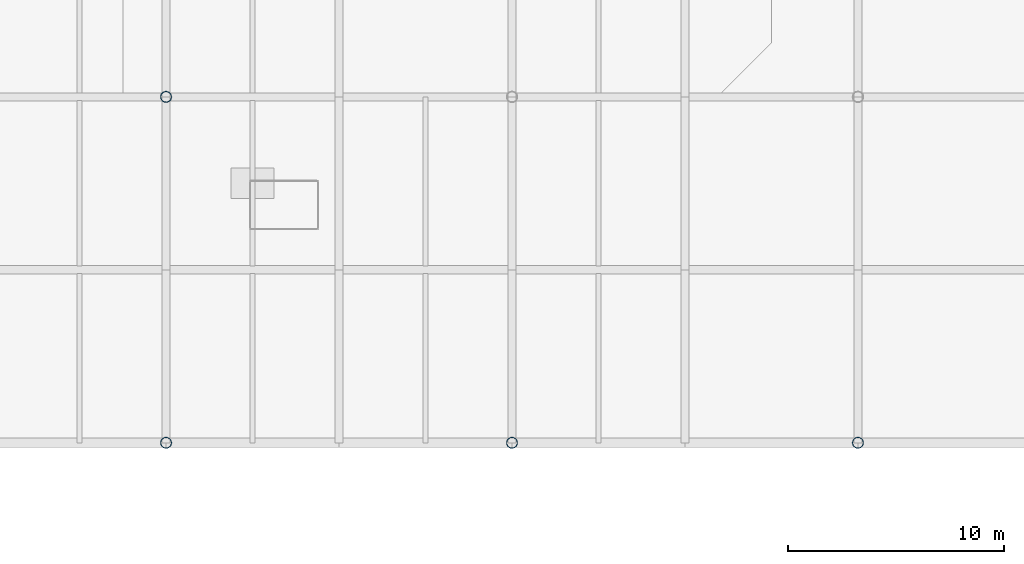
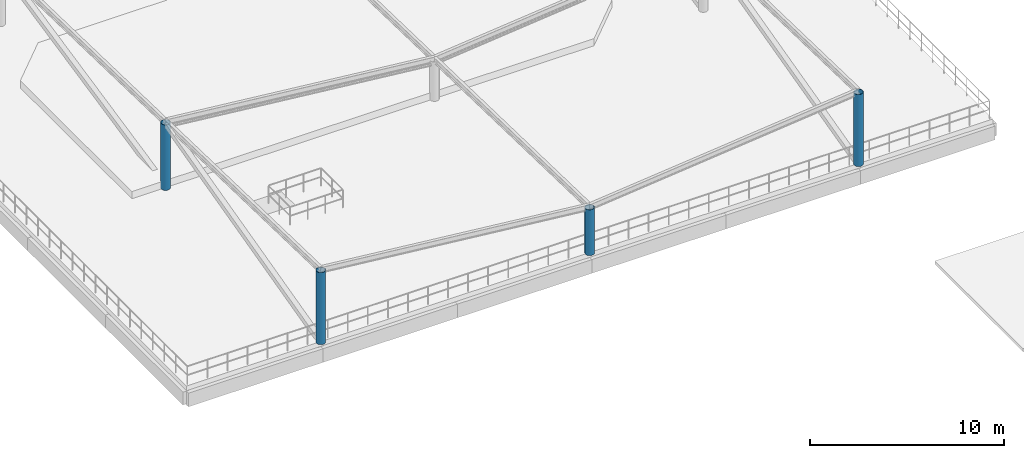
# One storey, part 4 of 52: 4 columns.
"""IFC4 building model written with IfcOpenShell, lengths in metres."""

import ifcopenshell
import ifcopenshell.guid

model = None  # the IFC model being written
_history = None  # IfcOwnerHistory: only IFC2X3 demands one
_inside = {}  # id of a spatial element -> (the spatial element, [elements in it])
_under = {}  # id of a project, library or spatial element -> (it, [spatial elements below it])
_declared = {}  # id of a project -> (the project, [libraries it declares])
_typed = {}  # id of a type object -> (the type object, [elements of that type])
_made_of = {}  # id of a material, layer set ... -> (it, [elements and type objects made of it])


def new_model(schema):
    """Start an empty IFC model of exactly this schema.

    Asked for "IFC4X3", IfcOpenShell would pick the latest addendum, in which some entities
    have other attributes; the version numbers below select the first issue.
    IFC2X3 requires an IfcOwnerHistory on every rooted entity: one is made here for all.
    """
    global model, _history
    if schema == "IFC4X3":
        model = ifcopenshell.file(schema_version=(4, 3, 0, 0))
    else:
        model = ifcopenshell.file(schema=schema)
    _inside.clear()
    _under.clear()
    _declared.clear()
    _typed.clear()
    _made_of.clear()
    _history = None
    if model.schema == "IFC2X3":
        org = make("IfcOrganization", Name="unknown")
        user = make(
            "IfcPersonAndOrganization",
            ThePerson=make("IfcPerson", FamilyName="unknown"),
            TheOrganization=org,
        )
        app = make(
            "IfcApplication",
            ApplicationDeveloper=org,
            Version="unknown",
            ApplicationFullName="unknown",
            ApplicationIdentifier="unknown",
        )
        _history = make(
            "IfcOwnerHistory",
            OwningUser=user,
            OwningApplication=app,
            ChangeAction="ADDED",
            CreationDate=0,
        )
    return model


def make(cls, **values):
    """One entity of the class cls with the attributes given. An attribute that is None is left unset."""
    return model.create_entity(
        cls, **{name: value for name, value in values.items() if value is not None}
    )


def rooted(cls, **values):
    """An entity with a GlobalId (a new one), such as an element, a storey or a relation."""
    return make(cls, GlobalId=ifcopenshell.guid.new(), OwnerHistory=_history, **values)


def si_unit(unit_type, name, prefix=None):
    """IfcSIUnit, for example si_unit("LENGTHUNIT", "METRE", prefix="MILLI")."""
    return make("IfcSIUnit", UnitType=unit_type, Prefix=prefix, Name=name)


def derived_unit(unit_type, elements):
    """IfcDerivedUnit: a product of units, each with its exponent."""
    return make(
        "IfcDerivedUnit",
        Elements=[
            make("IfcDerivedUnitElement", Unit=unit, Exponent=power)
            for unit, power in elements
        ],
        UnitType=unit_type,
    )


def assignment(units):
    """IfcUnitAssignment: the units of a project."""
    return None if units is None else make("IfcUnitAssignment", Units=units)


def point(xyz):
    """IfcCartesianPoint."""
    return None if xyz is None else make("IfcCartesianPoint", Coordinates=xyz)


def direction(xyz):
    """IfcDirection."""
    return None if xyz is None else make("IfcDirection", DirectionRatios=xyz)


def frame(location, z_axis=None, x_axis=None):
    """IfcAxis2Placement3D, a coordinate frame: its origin and axes. An axis left out is left unset."""
    return make(
        "IfcAxis2Placement3D",
        Location=point(location),
        Axis=direction(z_axis),
        RefDirection=direction(x_axis),
    )


def frame_2d(location, x_axis=None):
    """IfcAxis2Placement2D, a coordinate frame in the plane: its origin and x axis."""
    return make(
        "IfcAxis2Placement2D", Location=point(location), RefDirection=direction(x_axis)
    )


def origin():
    """The frame at (0, 0, 0) with its axes left unset."""
    return frame((0.0, 0.0, 0.0))


def origin_2d():
    """The frame at (0, 0) in the plane with its x axis left unset."""
    return frame_2d((0.0, 0.0))


def place(relative_to, where):
    """IfcLocalPlacement: puts the frame where relative to a parent placement (None: the world)."""
    return make(
        "IfcLocalPlacement", PlacementRelTo=relative_to, RelativePlacement=where
    )


def context(
    kind, dimensions, precision=None, world=None, true_north=None, identifier=None
):
    """IfcGeometricRepresentationContext, for example the 3D "Model" context."""
    return make(
        "IfcGeometricRepresentationContext",
        ContextIdentifier=identifier,
        ContextType=kind,
        CoordinateSpaceDimension=dimensions,
        Precision=precision,
        WorldCoordinateSystem=world,
        TrueNorth=true_north,
    )


def subcontext(parent, identifier, kind, view, scale=None):
    """IfcGeometricRepresentationSubContext, for example "Body" below "Model"."""
    return make(
        "IfcGeometricRepresentationSubContext",
        ContextIdentifier=identifier,
        ContextType=kind,
        ParentContext=parent,
        TargetScale=scale,
        TargetView=view,
    )


def project(units=None, contexts=None):
    """IfcProject with its units and contexts."""
    return rooted(
        "IfcProject",
        Name="project",
        RepresentationContexts=contexts,
        UnitsInContext=assignment(units),
    )


def spatial(cls, under=None, at=None, **own):
    """A site, building, storey or space (cls), placed at a placement, below another one or the project."""
    s = rooted(cls, ObjectPlacement=at, **own)
    if under is not None:
        _under.setdefault(under.id(), (under, []))[1].append(s)
    return s


def profile(cls, at=None, kind="AREA", **sizes):
    """A parametric profile (cls). Its sizes go by their IFC names, for example OverallWidth=200.0."""
    return make(cls, ProfileType=kind, Position=at, **sizes)


def hollow_circle(**sizes):
    """IfcCircleHollowProfileDef."""
    return profile("IfcCircleHollowProfileDef", **sizes)


def extrude(swept, where, along, depth):
    """IfcExtrudedAreaSolid: the profile swept, set in the frame where, extruded along a direction by depth."""
    return make(
        "IfcExtrudedAreaSolid",
        SweptArea=swept,
        Position=where,
        ExtrudedDirection=direction(along),
        Depth=depth,
    )


def shape(context_of_items, identifier, shape_type, items):
    """IfcShapeRepresentation: the items that make up one representation, for example the "Body"."""
    return make(
        "IfcShapeRepresentation",
        ContextOfItems=context_of_items,
        RepresentationIdentifier=identifier,
        RepresentationType=shape_type,
        Items=items,
    )


def material(Name=None, Category=None):
    """IfcMaterial."""
    return make("IfcMaterial", Name=Name, Category=Category)


def material_profile(
    of_material, cross_section, Name=None, Category=None, Priority=None
):
    """IfcMaterialProfile: a cross section and its material."""
    return make(
        "IfcMaterialProfile",
        Name=Name,
        Material=of_material,
        Profile=cross_section,
        Priority=Priority,
        Category=Category,
    )


def profile_set(profiles, Name=None, composite=None):
    """IfcMaterialProfileSet."""
    return make(
        "IfcMaterialProfileSet",
        Name=Name,
        MaterialProfiles=profiles,
        CompositeProfile=composite,
    )


def made_of(thing, what):
    """Note that an element or type object is made of a material, layer set ...; save() writes the relation."""
    if what is not None:
        _made_of.setdefault(what.id(), (what, []))[1].append(thing)
    return thing


def type_object(cls, material=None, **own):
    """A type object (cls), such as IfcWallType, which elements share."""
    return made_of(rooted(cls, **own), material)


def element(
    cls,
    number,
    at=None,
    inside=None,
    cuts=None,
    type_object=None,
    material=None,
    context=None,
    identifier="Body",
    shape_type=None,
    held_by="IfcProductDefinitionShape",
    body=None,
    shapes=None,
    **own,
):
    """One element of the class cls, such as IfcWall. Its Tag is "e" and its number.

    at: its placement. inside: the storey or other place that contains it. cuts: it is an
    opening in that element (IfcRelVoidsElement). A single representation is given by context,
    identifier, shape_type and body (its items); several are given by shapes. held_by: the class
    of the entity that holds the representations. save() writes the other relations.
    """
    e = rooted(cls, Tag="e%d" % number, ObjectPlacement=at, **own)
    if body is not None:
        shapes = [shape(context, identifier, shape_type, body)]
    if shapes is not None:
        e.Representation = make(held_by, Representations=shapes)
    if inside is not None:
        _inside.setdefault(inside.id(), (inside, []))[1].append(e)
    if cuts is not None:
        rooted(
            "IfcRelVoidsElement", RelatingBuildingElement=cuts, RelatedOpeningElement=e
        )
    if type_object is not None:
        _typed.setdefault(type_object.id(), (type_object, []))[1].append(e)
    return made_of(e, material)


def aggregate(whole, parts):
    """IfcRelAggregates: a whole, such as a stair, and the parts it consists of."""
    return rooted("IfcRelAggregates", RelatingObject=whole, RelatedObjects=parts)


def save(model, path):
    """Write the relations noted so far, then the file.

    IfcRelAggregates (storeys below a building ...), IfcRelContainedInSpatialStructure (elements
    in a storey), IfcRelDefinesByType, IfcRelAssociatesMaterial and IfcRelDeclares: one each for
    every whole, place, type object, material and project.
    """
    for whole, parts in _under.values():
        aggregate(whole, parts)
    for where, things in _inside.values():
        rooted(
            "IfcRelContainedInSpatialStructure",
            RelatedElements=things,
            RelatingStructure=where,
        )
    for kind, things in _typed.values():
        rooted("IfcRelDefinesByType", RelatedObjects=things, RelatingType=kind)
    for what, things in _made_of.values():
        rooted("IfcRelAssociatesMaterial", RelatedObjects=things, RelatingMaterial=what)
    for by, libraries in _declared.values():
        rooted("IfcRelDeclares", RelatingContext=by, RelatedDefinitions=libraries)
    model.write(path)


model = new_model("IFC4")

# Units and contexts
model_context = context("Model", 3, precision=1e-05, world=origin(), true_north=direction((0.0, 1.0)))
body_context = subcontext(model_context, "Body", "Model", "MODEL_VIEW")
ifc_project = project(units=[si_unit("LENGTHUNIT", "METRE"), si_unit("AREAUNIT", "SQUARE_METRE"), si_unit("VOLUMEUNIT", "CUBIC_METRE"), si_unit("PLANEANGLEUNIT", "RADIAN"), si_unit("MASSUNIT", "GRAM", prefix="KILO"), si_unit("THERMODYNAMICTEMPERATUREUNIT", "KELVIN"), derived_unit("THERMALTRANSMITTANCEUNIT", [(si_unit("POWERUNIT", "WATT"), 1), (si_unit("AREAUNIT", "SQUARE_METRE"), -1), (si_unit("THERMODYNAMICTEMPERATUREUNIT", "KELVIN"), -1)])], contexts=[model_context])

# Site, building, storey
site_placement = place(None, origin())
site = spatial("IfcSite", under=ifc_project, at=site_placement, CompositionType="ELEMENT")
building_placement = place(site_placement, origin())
building = spatial("IfcBuilding", under=site, at=building_placement, Name="Haiyu Intermodal Mobility Hub", CompositionType="ELEMENT")
storey_placement = place(building_placement, frame((0.0, 0.0, 21.199951171875)))
storey = spatial("IfcBuildingStorey", under=building, at=storey_placement, Name="L05", CompositionType="ELEMENT", Elevation=21.199951171875)

# Columns
ifc_material = material(Name="Steel Q355C", Category="steel")
ifc_material_profile = material_profile(ifc_material, hollow_circle(Radius=0.25390625, WallThickness=0.01611328125, at=origin_2d()), Name="CHS508x16")
ifc_profile_set = profile_set([ifc_material_profile], Name="Steel Q355C")
column_type = type_object("IfcColumnType", Name="COL-SC02-EXT", PredefinedType="COLUMN", material=ifc_profile_set)
column_1_placement = place(storey_placement, frame((170.0, 80.0, 0.0), z_axis=(0.0, 0.0, 1.0), x_axis=(1.0, 0.0, 0.0)))
element("IfcColumn", 1, at=column_1_placement, inside=storey, type_object=column_type, Name="COL-V6F-170-80", PredefinedType="COLUMN", context=body_context, shape_type="SweptSolid", body=[
    extrude(hollow_circle(Radius=0.25390625, WallThickness=0.01611328125, at=origin_2d()), origin(), (0.0, 0.0, 1.0), 4.530029296875),
])
column_2_placement = place(storey_placement, frame((170.0, 96.0, 0.0), z_axis=(0.0, 0.0, 1.0), x_axis=(1.0, 0.0, 0.0)))
element("IfcColumn", 2, at=column_2_placement, inside=storey, type_object=column_type, Name="COL-V6F-170-96", PredefinedType="COLUMN", context=body_context, shape_type="SweptSolid", body=[
    extrude(hollow_circle(Radius=0.25390625, WallThickness=0.01611328125, at=origin_2d()), origin(), (0.0, 0.0, 1.0), 4.1181640625),
])
column_3_placement = place(storey_placement, frame((186.0, 80.0, 0.0), z_axis=(0.0, 0.0, 1.0), x_axis=(1.0, 0.0, 0.0)))
element("IfcColumn", 3, at=column_3_placement, inside=storey, type_object=column_type, Name="COL-V6F-186-80", PredefinedType="COLUMN", context=body_context, shape_type="SweptSolid", body=[
    extrude(hollow_circle(Radius=0.25390625, WallThickness=0.01611328125, at=origin_2d()), origin(), (0.0, 0.0, 1.0), 2.880126953125),
])
column_4_placement = place(storey_placement, frame((202.0, 80.0, 0.0), z_axis=(0.0, 0.0, 1.0), x_axis=(1.0, 0.0, 0.0)))
element("IfcColumn", 4, at=column_4_placement, inside=storey, type_object=column_type, Name="COL-V6F-202-80", PredefinedType="COLUMN", context=body_context, shape_type="SweptSolid", body=[
    extrude(hollow_circle(Radius=0.25390625, WallThickness=0.01611328125, at=origin_2d()), origin(), (0.0, 0.0, 1.0), 4.530029296875),
])

save(model, "model.ifc")
